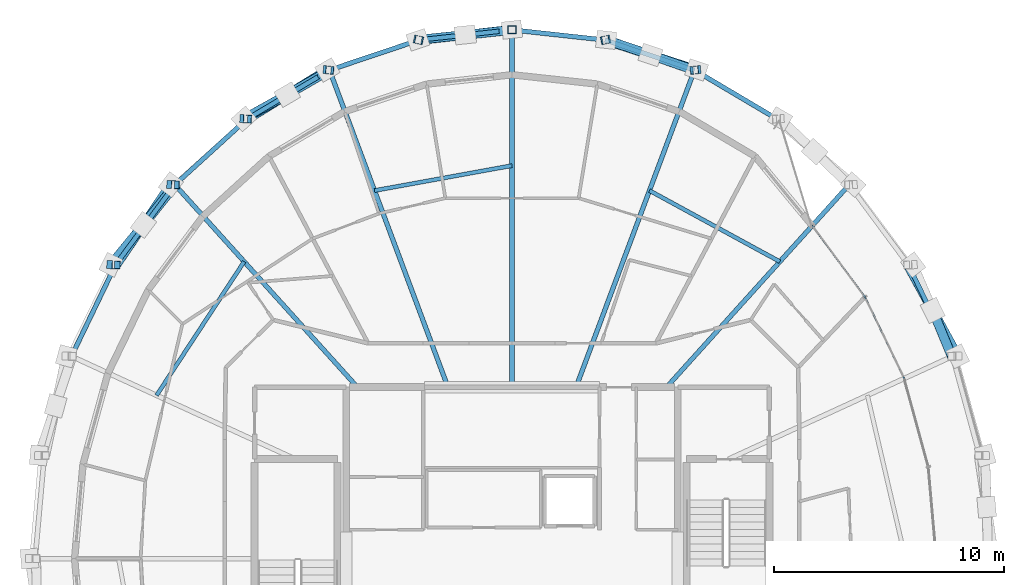
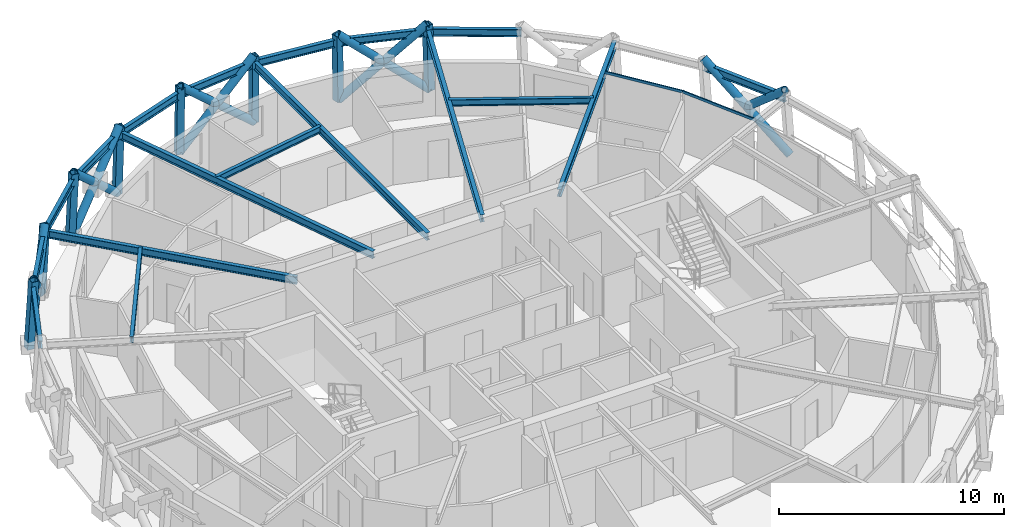
# One storey, part 7 of 15: 24 members, 18 beams, 1 element without a shape of its own.
"""IFC4 building model written with IfcOpenShell, lengths in metres."""

from ifc_helpers import new_model, si_unit, direction, frame, origin, origin_2d, place, context, subcontext, project, spatial, hollow_rectangle, hollow_circle, i_section, extrude, material, layer, layer_set, material_profile, profile_set, type_object, element, aggregate, save


model = new_model("IFC4")

# Units and contexts
model_context = context("Model", 3, precision=1e-05, world=origin(), true_north=direction((0.0, 1.0)))
body_context = subcontext(model_context, "Body", "Model", "MODEL_VIEW")
ifc_project = project(units=[si_unit("LENGTHUNIT", "METRE"), si_unit("AREAUNIT", "SQUARE_METRE"), si_unit("VOLUMEUNIT", "CUBIC_METRE"), si_unit("PLANEANGLEUNIT", "RADIAN"), si_unit("MASSUNIT", "GRAM", prefix="KILO")], contexts=[model_context])

# Site, building, storey
site_placement = place(None, origin())
site = spatial("IfcSite", under=ifc_project, at=site_placement, CompositionType="ELEMENT")
building_placement = place(site_placement, origin())
building = spatial("IfcBuilding", under=site, at=building_placement, Name="Veldorina Hangang Commons", CompositionType="ELEMENT")
storey_placement = place(building_placement, frame((0.0, 0.0, 276.0)))
storey = spatial("IfcBuildingStorey", under=building, at=storey_placement, Name="L72", CompositionType="ELEMENT", Elevation=276.0)

# Beams
ifc_material_1 = material(Name="Steel SM355-TMC", Category="steel")
ifc_material_profile_1 = material_profile(ifc_material_1, i_section(OverallWidth=0.199951171875, OverallDepth=0.39990234375, WebThickness=0.008056640625, FlangeThickness=0.012939453125, FilletRadius=0.012939453125, at=origin_2d()), Name="H-400x200x8x13")
ifc_profile_set_1 = profile_set([ifc_material_profile_1], Name="Steel SM355-TMC")
beam_type_1 = type_object("IfcBeamType", Name="BM-FG400", PredefinedType="BEAM", material=ifc_profile_set_1)
beam_1_placement = place(storey_placement, frame((38.718505859375, 31.449951171875, 3.159912109375), z_axis=(0.669683766182, 0.742646385107, 0.0), x_axis=(-0.742646385107, 0.669683766182, 0.0)))
element("IfcBeam", 1, at=beam_1_placement, inside=storey, type_object=beam_type_1, Name="L72 radial floor girder 03", PredefinedType="BEAM", context=body_context, shape_type="SweptSolid", body=[
    extrude(i_section(OverallWidth=0.199951171875, OverallDepth=0.39990234375, WebThickness=0.008056640625, FlangeThickness=0.012939453125, FilletRadius=0.012939453125, at=origin_2d()), origin(), (0.0, 0.0, 1.0), 11.831787109375),
])
beam_2_placement = place(storey_placement, frame((34.782958984375, 31.449951171875, 3.159912109375), z_axis=(0.349917689305, 0.936780449578, 0.0), x_axis=(-0.936780449578, 0.349917689305, 0.0)))
element("IfcBeam", 2, at=beam_2_placement, inside=storey, type_object=beam_type_1, Name="L72 radial floor girder 04", PredefinedType="BEAM", context=body_context, shape_type="SweptSolid", body=[
    extrude(i_section(OverallWidth=0.199951171875, OverallDepth=0.39990234375, WebThickness=0.008056640625, FlangeThickness=0.012939453125, FilletRadius=0.012939453125, at=origin_2d()), origin(), (0.0, 0.0, 1.0), 14.693115234375),
])
beam_3_placement = place(storey_placement, frame((32.0, 31.449951171875, 3.159912109375), z_axis=(0.0, 1.0, 0.0), x_axis=(-1.0, 0.0, 0.0)))
element("IfcBeam", 3, at=beam_3_placement, inside=storey, type_object=beam_type_1, Name="L72 radial floor girder 05", PredefinedType="BEAM", context=body_context, shape_type="SweptSolid", body=[
    extrude(i_section(OverallWidth=0.199951171875, OverallDepth=0.39990234375, WebThickness=0.008056640625, FlangeThickness=0.012939453125, FilletRadius=0.012939453125, at=origin_2d()), origin(), (0.0, 0.0, 1.0), 15.51220703125),
])
beam_4_placement = place(storey_placement, frame((29.217041015625, 31.449951171875, 3.159912109375), z_axis=(-0.349917689305, 0.936780449578, 0.0), x_axis=(-0.936780449578, -0.349917689305, 0.0)))
element("IfcBeam", 4, at=beam_4_placement, inside=storey, type_object=beam_type_1, Name="L72 radial floor girder 06", PredefinedType="BEAM", context=body_context, shape_type="SweptSolid", body=[
    extrude(i_section(OverallWidth=0.199951171875, OverallDepth=0.39990234375, WebThickness=0.008056640625, FlangeThickness=0.012939453125, FilletRadius=0.012939453125, at=origin_2d()), origin(), (0.0, 0.0, 1.0), 14.693115234375),
])
beam_5_placement = place(storey_placement, frame((25.281494140625, 31.449951171875, 3.159912109375), z_axis=(-0.669683766182, 0.742646385107, 0.0), x_axis=(-0.742646385107, -0.669683766182, 0.0)))
element("IfcBeam", 5, at=beam_5_placement, inside=storey, type_object=beam_type_1, Name="L72 radial floor girder 07", PredefinedType="BEAM", context=body_context, shape_type="SweptSolid", body=[
    extrude(i_section(OverallWidth=0.199951171875, OverallDepth=0.39990234375, WebThickness=0.008056640625, FlangeThickness=0.012939453125, FilletRadius=0.012939453125, at=origin_2d()), origin(), (0.0, 0.0, 1.0), 11.831787109375),
])
ifc_material_profile_2 = material_profile(ifc_material_1, i_section(OverallWidth=0.175048828125, OverallDepth=0.35009765625, WebThickness=0.007080078125, FlangeThickness=0.010986328125, FilletRadius=0.012939453125, at=origin_2d()), Name="H-350x175x7x11")
ifc_profile_set_2 = profile_set([ifc_material_profile_2], Name="Steel SM355-TMC")
beam_type_2 = type_object("IfcBeamType", Name="BM-JST350", PredefinedType="JOIST", material=ifc_profile_set_2)
beam_6_placement = place(storey_placement, frame((43.631103515625, 36.897705078125, 3.18505859375), z_axis=(-0.877980943961, 0.478695583895, 0.0), x_axis=(-0.478695583895, -0.877980943961, 0.0)))
element("IfcBeam", 6, at=beam_6_placement, inside=storey, type_object=beam_type_2, Name="L72 secondary floor joist 03", PredefinedType="JOIST", context=body_context, shape_type="SweptSolid", body=[
    extrude(i_section(OverallWidth=0.175048828125, OverallDepth=0.35009765625, WebThickness=0.007080078125, FlangeThickness=0.010986328125, FilletRadius=0.012939453125, at=origin_2d()), origin(), (0.0, 0.0, 1.0), 6.447021484375),
])
beam_7_placement = place(storey_placement, frame((32.0, 41.0673828125, 3.18505859375), z_axis=(-0.98393036376, -0.178552623257, 0.0), x_axis=(0.178552623257, -0.98393036376, 0.0)))
element("IfcBeam", 7, at=beam_7_placement, inside=storey, type_object=beam_type_2, Name="L72 secondary floor joist 05", PredefinedType="JOIST", context=body_context, shape_type="SweptSolid", body=[
    extrude(i_section(OverallWidth=0.175048828125, OverallDepth=0.35009765625, WebThickness=0.007080078125, FlangeThickness=0.010986328125, FilletRadius=0.012939453125, at=origin_2d()), origin(), (0.0, 0.0, 1.0), 6.068115234375),
])
beam_8_placement = place(storey_placement, frame((20.368896484375, 36.897705078125, 3.18505859375), z_axis=(-0.547914268169, -0.836534491062, 0.0), x_axis=(0.836534491062, -0.547914268169, 0.0)))
element("IfcBeam", 8, at=beam_8_placement, inside=storey, type_object=beam_type_2, Name="L72 secondary floor joist 07", PredefinedType="JOIST", context=body_context, shape_type="SweptSolid", body=[
    extrude(i_section(OverallWidth=0.175048828125, OverallDepth=0.35009765625, WebThickness=0.007080078125, FlangeThickness=0.010986328125, FilletRadius=0.012939453125, at=origin_2d()), origin(), (0.0, 0.0, 1.0), 6.943115234375),
])
ifc_material_profile_3 = material_profile(ifc_material_1, i_section(OverallWidth=0.199951171875, OverallDepth=0.39990234375, WebThickness=0.008056640625, FlangeThickness=0.012939453125, FilletRadius=0.012939453125, at=origin_2d()), Name="H-400x200x8x13")
ifc_profile_set_3 = profile_set([ifc_material_profile_3], Name="Steel SM355-TMC")
beam_type_3 = type_object("IfcBeamType", Name="BM-RB400", PredefinedType="BEAM", material=ifc_profile_set_3)
beam_9_placement = place(storey_placement, frame((51.131103515625, 32.787109375, 3.159912109375), z_axis=(-0.434248619178, 0.900793059888, 0.0), x_axis=(-0.900793059888, -0.434248619178, 0.0)))
element("IfcBeam", 9, at=beam_9_placement, inside=storey, type_object=beam_type_3, Name="L72 perimeter hoop ring beam 02", PredefinedType="BEAM", context=body_context, shape_type="SweptSolid", body=[
    extrude(i_section(OverallWidth=0.199951171875, OverallDepth=0.39990234375, WebThickness=0.008056640625, FlangeThickness=0.012939453125, FilletRadius=0.012939453125, at=origin_2d()), origin(), (0.0, 0.0, 1.0), 4.4072265625),
])
beam_10_placement = place(storey_placement, frame((43.50439453125, 43.09228515625, 3.159912109375), z_axis=(-0.860260085302, 0.50985545563, 0.0), x_axis=(-0.50985545563, -0.860260085302, 0.0)))
element("IfcBeam", 10, at=beam_10_placement, inside=storey, type_object=beam_type_3, Name="L72 perimeter hoop ring beam 05", PredefinedType="BEAM", context=body_context, shape_type="SweptSolid", body=[
    extrude(i_section(OverallWidth=0.199951171875, OverallDepth=0.39990234375, WebThickness=0.008056640625, FlangeThickness=0.012939453125, FilletRadius=0.012939453125, at=origin_2d()), origin(), (0.0, 0.0, 1.0), 4.16162109375),
])
beam_11_placement = place(storey_placement, frame((39.92431640625, 45.214111328125, 3.159912109375), z_axis=(-0.947797994089, 0.318871388496, 0.0), x_axis=(-0.318871388496, -0.947797994089, 0.0)))
element("IfcBeam", 11, at=beam_11_placement, inside=storey, type_object=beam_type_3, Name="L72 perimeter hoop ring beam 06", PredefinedType="BEAM", context=body_context, shape_type="SweptSolid", body=[
    extrude(i_section(OverallWidth=0.199951171875, OverallDepth=0.39990234375, WebThickness=0.008056640625, FlangeThickness=0.012939453125, FilletRadius=0.012939453125, at=origin_2d()), origin(), (0.0, 0.0, 1.0), 4.098388671875),
])
for number, where, z_axis, x_axis, name in (
    (12, (36.039794921875, 46.52099609375, 3.159912109375), (-0.994090041206, 0.108558693688, 0.0), (-0.108558693688, -0.994090041206, 0.0), "L72 perimeter hoop ring beam 07"),
    (13, (32.0, 46.962158203125, 3.159912109375), (-0.994090041206, -0.108558693688, 0.0), (0.108558693688, -0.994090041206, 0.0), "L72 perimeter hoop ring beam 08"),
):
    element("IfcBeam", number, at=place(storey_placement, frame(where, z_axis=z_axis, x_axis=x_axis)), inside=storey, type_object=beam_type_3, Name=name, PredefinedType="BEAM", context=body_context, shape_type="SweptSolid", body=[
        extrude(i_section(OverallWidth=0.199951171875, OverallDepth=0.39990234375, WebThickness=0.008056640625, FlangeThickness=0.012939453125, FilletRadius=0.012939453125, at=origin_2d()), origin(), (0.0, 0.0, 1.0), 4.063720703125),
    ])
beam_12_placement = place(storey_placement, frame((27.960205078125, 46.52099609375, 3.159912109375), z_axis=(-0.947797994089, -0.318871388496, 0.0), x_axis=(0.318871388496, -0.947797994089, 0.0)))
element("IfcBeam", 14, at=beam_12_placement, inside=storey, type_object=beam_type_3, Name="L72 perimeter hoop ring beam 09", PredefinedType="BEAM", context=body_context, shape_type="SweptSolid", body=[
    extrude(i_section(OverallWidth=0.199951171875, OverallDepth=0.39990234375, WebThickness=0.008056640625, FlangeThickness=0.012939453125, FilletRadius=0.012939453125, at=origin_2d()), origin(), (0.0, 0.0, 1.0), 4.098388671875),
])
beam_13_placement = place(storey_placement, frame((24.07568359375, 45.214111328125, 3.159912109375), z_axis=(-0.860260085302, -0.50985545563, 0.0), x_axis=(0.50985545563, -0.860260085302, 0.0)))
element("IfcBeam", 15, at=beam_13_placement, inside=storey, type_object=beam_type_3, Name="L72 perimeter hoop ring beam 10", PredefinedType="BEAM", context=body_context, shape_type="SweptSolid", body=[
    extrude(i_section(OverallWidth=0.199951171875, OverallDepth=0.39990234375, WebThickness=0.008056640625, FlangeThickness=0.012939453125, FilletRadius=0.012939453125, at=origin_2d()), origin(), (0.0, 0.0, 1.0), 4.16162109375),
])
beam_14_placement = place(storey_placement, frame((20.49560546875, 43.09228515625, 3.159912109375), z_axis=(-0.739585839401, -0.673062245381, 0.0), x_axis=(0.673062245381, -0.739585839401, 0.0)))
element("IfcBeam", 16, at=beam_14_placement, inside=storey, type_object=beam_type_3, Name="L72 perimeter hoop ring beam 11", PredefinedType="BEAM", context=body_context, shape_type="SweptSolid", body=[
    extrude(i_section(OverallWidth=0.199951171875, OverallDepth=0.39990234375, WebThickness=0.008056640625, FlangeThickness=0.012939453125, FilletRadius=0.012939453125, at=origin_2d()), origin(), (0.0, 0.0, 1.0), 4.242431640625),
])
beam_15_placement = place(storey_placement, frame((17.35791015625, 40.23681640625, 3.159912109375), z_axis=(-0.594871429279, -0.803820864762, 0.0), x_axis=(0.803820864762, -0.594871429279, 0.0)))
element("IfcBeam", 17, at=beam_15_placement, inside=storey, type_object=beam_type_3, Name="L72 perimeter hoop ring beam 12", PredefinedType="BEAM", context=body_context, shape_type="SweptSolid", body=[
    extrude(i_section(OverallWidth=0.199951171875, OverallDepth=0.39990234375, WebThickness=0.008056640625, FlangeThickness=0.012939453125, FilletRadius=0.012939453125, at=origin_2d()), origin(), (0.0, 0.0, 1.0), 4.3291015625),
])
beam_16_placement = place(storey_placement, frame((14.78271484375, 36.757080078125, 3.159912109375), z_axis=(-0.434248619178, -0.900793059888, 0.0), x_axis=(0.900793059888, -0.434248619178, 0.0)))
element("IfcBeam", 18, at=beam_16_placement, inside=storey, type_object=beam_type_3, Name="L72 perimeter hoop ring beam 13", PredefinedType="BEAM", context=body_context, shape_type="SweptSolid", body=[
    extrude(i_section(OverallWidth=0.199951171875, OverallDepth=0.39990234375, WebThickness=0.008056640625, FlangeThickness=0.012939453125, FilletRadius=0.012939453125, at=origin_2d()), origin(), (0.0, 0.0, 1.0), 4.4072265625),
])

# Curtain wall, members
ifc_material_2 = material(Name="Glass Low-E Selective", Category="glass")
ifc_layer = layer(ifc_material_2, 0.179931640625)
ifc_layer_set = layer_set([ifc_layer], Name="Glass Low-E Selective")
curtain_wall_type = type_object("IfcCurtainWallType", Name="CW-SYS-Z3", PredefinedType="NOTDEFINED", material=ifc_layer_set)
curtain_wall_placement = place(storey_placement, origin())
curtain_wall = element("IfcCurtainWall", 19, at=curtain_wall_placement, inside=storey, type_object=curtain_wall_type, Name="L72 unitised curtain wall CW-L72-R2", PredefinedType="NOTDEFINED")
ifc_material_3 = material(Name="Aluminium Anodized AA6063-T6", Category="aluminium")
ifc_material_profile_4 = material_profile(ifc_material_3, hollow_rectangle(XDim=0.06005859375, YDim=0.139892578125, WallThickness=0.00341796875, at=origin_2d()), Name="ALU-RHS-140x60x3.5")
ifc_profile_set_4 = profile_set([ifc_material_profile_4], Name="Aluminium Anodized AA6063-T6")
member_type_1 = type_object("IfcMemberType", Name="CW-TRN-140", PredefinedType="USERDEFINED", material=ifc_profile_set_4)
member_1_placement = place(storey_placement, frame((49.031494140625, 31.826904296875, 3.280029296875), z_axis=(-0.434002639341, 0.900911598907, 0.0), x_axis=(-0.900911598907, -0.434002639341, 0.0)))
member_1 = element("IfcMember", 20, at=member_1_placement, type_object=member_type_1, Name="CW-L72-R2 facet 4 transom 1", ObjectType="TRANSOM", PredefinedType="USERDEFINED", context=body_context, shape_type="SweptSolid", body=[
    extrude(hollow_rectangle(XDim=0.06005859375, YDim=0.139892578125, WallThickness=0.00341796875, at=origin_2d()), origin(), (0.0, 0.0, 1.0), 3.9248046875),
])
member_2_placement = place(storey_placement, frame((47.328125, 35.36279296875, 3.280029296875), z_axis=(-0.594707961774, 0.803941813941, 0.0), x_axis=(-0.803941813941, -0.594707961774, 0.0)))
member_2 = element("IfcMember", 21, at=member_2_placement, type_object=member_type_1, Name="CW-L72-R2 facet 5 transom 1", ObjectType="TRANSOM", PredefinedType="USERDEFINED", context=body_context, shape_type="SweptSolid", body=[
    extrude(hollow_rectangle(XDim=0.06005859375, YDim=0.139892578125, WallThickness=0.00341796875, at=origin_2d()), origin(), (0.0, 0.0, 1.0), 3.855224609375),
])
aggregate(curtain_wall, [member_1, member_2])

# Members
ifc_material_profile_5 = material_profile(ifc_material_1, hollow_circle(Radius=0.199951171875, WallThickness=0.02001953125, at=origin_2d()), Name="CHS-400x20")
ifc_profile_set_5 = profile_set([ifc_material_profile_5], Name="Steel SM355-TMC")
member_type_2 = type_object("IfcMemberType", Name="DG-CHS400", PredefinedType="BRACE", material=ifc_profile_set_5)
member_3_placement = place(storey_placement, frame((51.35986328125, 32.791259765625, 0.0), z_axis=(-0.375708094426, 0.686101366635, 0.622983420714), x_axis=(-0.877103852055, -0.480300773173, 0.0)))
element("IfcMember", 22, at=member_3_placement, inside=storey, type_object=member_type_2, Name="L72 continuous perimeter diagrid brace 02", PredefinedType="BRACE", context=body_context, shape_type="SweptSolid", body=[
    extrude(hollow_circle(Radius=0.199951171875, WallThickness=0.02001953125, at=origin_2d()), origin(), (0.0, 0.0, 1.0), 5.77880859375),
])
member_4_placement = place(storey_placement, frame((50.272705078125, 34.776611328125, 1.802734375), z_axis=(0.294519276188, -0.709195456487, 0.640546798019), x_axis=(0.923528823768, 0.383529023243, 0.0)))
element("IfcMember", 23, at=member_4_placement, inside=storey, type_object=member_type_2, Name="L72 split perimeter diagrid upper brace 03", PredefinedType="BRACE", context=body_context, shape_type="SweptSolid", body=[
    extrude(hollow_circle(Radius=0.199951171875, WallThickness=0.02001953125, at=origin_2d()), origin(), (0.0, 0.0, 1.0), 2.805908203125),
])
member_5_placement = place(storey_placement, frame((40.01904296875, 45.22412109375, 0.0), z_axis=(-0.721446636571, 0.234413818032, 0.65158645819), x_axis=(-0.309018897447, -0.951055897948, 0.0)))
element("IfcMember", 24, at=member_5_placement, inside=storey, type_object=member_type_2, Name="L72 continuous perimeter diagrid brace 06", PredefinedType="BRACE", context=body_context, shape_type="SweptSolid", body=[
    extrude(hollow_circle(Radius=0.199951171875, WallThickness=0.02001953125, at=origin_2d()), origin(), (0.0, 0.0, 1.0), 5.525146484375),
])
member_6_placement = place(storey_placement, frame((36.088134765625, 46.53125, 0.0), z_axis=(0.707063017632, -0.240677510439, 0.664933248579), x_axis=(0.32223405008, 0.946660032413, 0.0)))
element("IfcMember", 25, at=member_6_placement, inside=storey, type_object=member_type_2, Name="L72 split perimeter diagrid lower brace 07", PredefinedType="BRACE", context=body_context, shape_type="SweptSolid", body=[
    extrude(hollow_circle(Radius=0.199951171875, WallThickness=0.02001953125, at=origin_2d()), origin(), (0.0, 0.0, 1.0), 2.7236328125),
])
member_7_placement = place(storey_placement, frame((38.013916015625, 45.875732421875, 1.81103515625), z_axis=(0.705117691671, -0.246351117345, 0.664921174182), x_axis=(0.329825481879, 0.944041922535, 0.0)))
element("IfcMember", 26, at=member_7_placement, inside=storey, type_object=member_type_2, Name="L72 split perimeter diagrid upper brace 07", PredefinedType="BRACE", context=body_context, shape_type="SweptSolid", body=[
    extrude(hollow_circle(Radius=0.199951171875, WallThickness=0.02001953125, at=origin_2d()), origin(), (0.0, 0.0, 1.0), 2.690673828125),
])
member_8_placement = place(storey_placement, frame((32.0, 46.97265625, 0.0), z_axis=(-0.74339778, -0.083569809157, 0.663608188382), x_axis=(0.111712347444, -0.99374058558, 0.0)))
element("IfcMember", 27, at=member_8_placement, inside=storey, type_object=member_type_2, Name="L72 continuous perimeter diagrid brace 08", PredefinedType="BRACE", context=body_context, shape_type="SweptSolid", body=[
    extrude(hollow_circle(Radius=0.199951171875, WallThickness=0.02001953125, at=origin_2d()), origin(), (0.0, 0.0, 1.0), 5.425048828125),
])
member_9_placement = place(storey_placement, frame((27.911865234375, 46.53125, 0.0), z_axis=(0.748297554973, 0.07749273612, 0.658821406051), x_axis=(-0.103007842798, 0.994680543854, 0.0)))
element("IfcMember", 28, at=member_9_placement, inside=storey, type_object=member_type_2, Name="L72 split perimeter diagrid lower brace 09", PredefinedType="BRACE", context=body_context, shape_type="SweptSolid", body=[
    extrude(hollow_circle(Radius=0.199951171875, WallThickness=0.02001953125, at=origin_2d()), origin(), (0.0, 0.0, 1.0), 2.75048828125),
])
member_10_placement = place(storey_placement, frame((29.969970703125, 46.744384765625, 1.81201171875), z_axis=(0.748021654765, 0.079705013364, 0.658870787672), x_axis=(-0.105954621283, 0.994370966103, 0.0)))
element("IfcMember", 29, at=member_10_placement, inside=storey, type_object=member_type_2, Name="L72 split perimeter diagrid upper brace 09", PredefinedType="BRACE", context=body_context, shape_type="SweptSolid", body=[
    extrude(hollow_circle(Radius=0.199951171875, WallThickness=0.02001953125, at=origin_2d()), origin(), (0.0, 0.0, 1.0), 2.7138671875),
])
member_11_placement = place(storey_placement, frame((23.98095703125, 45.22412109375, 0.0), z_axis=(-0.637892206511, -0.392566331499, 0.662559588449), x_axis=(0.524114160381, -0.851648018191, 0.0)))
element("IfcMember", 30, at=member_11_placement, inside=storey, type_object=member_type_2, Name="L72 continuous perimeter diagrid brace 10", PredefinedType="BRACE", context=body_context, shape_type="SweptSolid", body=[
    extrude(hollow_circle(Radius=0.199951171875, WallThickness=0.02001953125, at=origin_2d()), origin(), (0.0, 0.0, 1.0), 5.43359375),
])
member_12_placement = place(storey_placement, frame((20.358154296875, 43.10107421875, 0.0), z_axis=(0.668542631427, 0.373582038979, 0.643029711691), x_axis=(-0.487806119917, 0.872951997175, 0.0)))
element("IfcMember", 31, at=member_12_placement, inside=storey, type_object=member_type_2, Name="L72 split perimeter diagrid lower brace 11", PredefinedType="BRACE", context=body_context, shape_type="SweptSolid", body=[
    extrude(hollow_circle(Radius=0.199951171875, WallThickness=0.02001953125, at=origin_2d()), origin(), (0.0, 0.0, 1.0), 2.8134765625),
])
member_13_placement = place(storey_placement, frame((22.239013671875, 44.152099609375, 1.80908203125), z_axis=(0.664273926266, 0.380925195938, 0.643145509184), x_axis=(-0.497457638948, 0.867488269346, 0.0)))
element("IfcMember", 32, at=member_13_placement, inside=storey, type_object=member_type_2, Name="L72 split perimeter diagrid upper brace 11", PredefinedType="BRACE", context=body_context, shape_type="SweptSolid", body=[
    extrude(hollow_circle(Radius=0.199951171875, WallThickness=0.02001953125, at=origin_2d()), origin(), (0.0, 0.0, 1.0), 2.78466796875),
])
member_14_placement = place(storey_placement, frame((17.1826171875, 40.244140625, 0.0), z_axis=(-0.427630244397, -0.629007855626, 0.649216059289), x_axis=(0.826984634685, -0.562224522762, 0.0)))
element("IfcMember", 33, at=member_14_placement, inside=storey, type_object=member_type_2, Name="L72 continuous perimeter diagrid brace 12", PredefinedType="BRACE", context=body_context, shape_type="SweptSolid", body=[
    extrude(hollow_circle(Radius=0.199951171875, WallThickness=0.02001953125, at=origin_2d()), origin(), (0.0, 0.0, 1.0), 5.54541015625),
])
member_15_placement = place(storey_placement, frame((14.57666015625, 36.762939453125, 0.0), z_axis=(0.492893262012, 0.602594914815, 0.627642892816), x_axis=(-0.774044760972, 0.633130877475, 0.0)))
element("IfcMember", 34, at=member_15_placement, inside=storey, type_object=member_type_2, Name="L72 split perimeter diagrid lower brace 13", PredefinedType="BRACE", context=body_context, shape_type="SweptSolid", body=[
    extrude(hollow_circle(Radius=0.199951171875, WallThickness=0.02001953125, at=origin_2d()), origin(), (0.0, 0.0, 1.0), 2.875244140625),
])
member_16_placement = place(storey_placement, frame((15.993896484375, 38.49560546875, 1.8046875), z_axis=(0.485422875718, 0.608443340704, 0.627822692232), x_axis=(-0.78170276482, 0.623651174514, 0.0)))
element("IfcMember", 35, at=member_16_placement, inside=storey, type_object=member_type_2, Name="L72 split perimeter diagrid upper brace 13", PredefinedType="BRACE", context=body_context, shape_type="SweptSolid", body=[
    extrude(hollow_circle(Radius=0.199951171875, WallThickness=0.02001953125, at=origin_2d()), origin(), (0.0, 0.0, 1.0), 2.859619140625),
])
ifc_material_profile_6 = material_profile(ifc_material_1, hollow_rectangle(XDim=0.35009765625, YDim=0.35009765625, WallThickness=0.01611328125, at=origin_2d()), Name="SHS-350x350x16")
ifc_profile_set_6 = profile_set([ifc_material_profile_6], Name="Steel SM355-TMC")
member_type_3 = type_object("IfcMemberType", Name="STR-SHS350", PredefinedType="STRUT", material=ifc_profile_set_6)
member_17_placement = place(storey_placement, frame((40.01904296875, 45.22412109375, 0.0), z_axis=(-0.02996062848, -0.003118074457, 0.999546216217), x_axis=(0.103513328199, -0.994628066608, 0.0)))
element("IfcMember", 36, at=member_17_placement, inside=storey, type_object=member_type_3, Name="L72 perimeter ring node post 06", PredefinedType="STRUT", context=body_context, shape_type="SweptSolid", body=[
    extrude(hollow_rectangle(XDim=0.35009765625, YDim=0.35009765625, WallThickness=0.01611328125, at=origin_2d()), origin(), (0.0, 0.0, 1.0), 3.601806640625),
])
member_18_placement = place(storey_placement, frame((36.088134765625, 46.53125, 0.0), z_axis=(-0.015324305885, -0.003322526497, 0.999877055676), x_axis=(0.211891025137, -0.977293299612, 0.0)))
element("IfcMember", 37, at=member_18_placement, inside=storey, type_object=member_type_3, Name="L72 perimeter ring node post 07", PredefinedType="STRUT", context=body_context, shape_type="SweptSolid", body=[
    extrude(hollow_rectangle(XDim=0.35009765625, YDim=0.35009765625, WallThickness=0.01611328125, at=origin_2d()), origin(), (0.0, 0.0, 1.0), 3.6005859375),
])
member_19_placement = place(storey_placement, frame((32.0, 46.97265625, 0.0), z_axis=(0.0, -0.003322916688, 0.999994479097), x_axis=(1.0, 0.0, 0.0)))
element("IfcMember", 38, at=member_19_placement, inside=storey, type_object=member_type_3, Name="L72 perimeter ring node post 08", PredefinedType="STRUT", context=body_context, shape_type="SweptSolid", body=[
    extrude(hollow_rectangle(XDim=0.35009765625, YDim=0.35009765625, WallThickness=0.01611328125, at=origin_2d()), origin(), (0.0, 0.0, 1.0), 3.60009765625),
])
member_20_placement = place(storey_placement, frame((27.911865234375, 46.53125, 0.0), z_axis=(0.015324305885, -0.003322526497, 0.999877055676), x_axis=(0.211891025137, 0.977293299612, 0.0)))
element("IfcMember", 39, at=member_20_placement, inside=storey, type_object=member_type_3, Name="L72 perimeter ring node post 09", PredefinedType="STRUT", context=body_context, shape_type="SweptSolid", body=[
    extrude(hollow_rectangle(XDim=0.35009765625, YDim=0.35009765625, WallThickness=0.01611328125, at=origin_2d()), origin(), (0.0, 0.0, 1.0), 3.6005859375),
])
member_21_placement = place(storey_placement, frame((23.98095703125, 45.22412109375, 0.0), z_axis=(0.02996062848, -0.003118074457, 0.999546216217), x_axis=(0.103513328199, 0.994628066608, 0.0)))
element("IfcMember", 40, at=member_21_placement, inside=storey, type_object=member_type_3, Name="L72 perimeter ring node post 10", PredefinedType="STRUT", context=body_context, shape_type="SweptSolid", body=[
    extrude(hollow_rectangle(XDim=0.35009765625, YDim=0.35009765625, WallThickness=0.01611328125, at=origin_2d()), origin(), (0.0, 0.0, 1.0), 3.601806640625),
])
member_22_placement = place(storey_placement, frame((20.358154296875, 43.10107421875, 0.0), z_axis=(0.043495858992, -0.002777772926, 0.999049745622), x_axis=(0.063733093725, 0.997966979797, 0.0)))
element("IfcMember", 41, at=member_22_placement, inside=storey, type_object=member_type_3, Name="L72 perimeter ring node post 11", PredefinedType="STRUT", context=body_context, shape_type="SweptSolid", body=[
    extrude(hollow_rectangle(XDim=0.35009765625, YDim=0.35009765625, WallThickness=0.01611328125, at=origin_2d()), origin(), (0.0, 0.0, 1.0), 3.603515625),
])
member_23_placement = place(storey_placement, frame((17.1826171875, 40.244140625, 0.0), z_axis=(0.055319857399, -0.002369883732, 0.998465871739), x_axis=(0.042800400862, 0.999083642988, 0.0)))
element("IfcMember", 42, at=member_23_placement, inside=storey, type_object=member_type_3, Name="L72 perimeter ring node post 12", PredefinedType="STRUT", context=body_context, shape_type="SweptSolid", body=[
    extrude(hollow_rectangle(XDim=0.35009765625, YDim=0.35009765625, WallThickness=0.01611328125, at=origin_2d()), origin(), (0.0, 0.0, 1.0), 3.605712890625),
])
member_24_placement = place(storey_placement, frame((14.57666015625, 36.762939453125, 0.0), z_axis=(0.065032144123, -0.001894797123, 0.997881370692), x_axis=(0.029123956933, 0.999575807597, 0.0)))
element("IfcMember", 43, at=member_24_placement, inside=storey, type_object=member_type_3, Name="L72 perimeter ring node post 13", PredefinedType="STRUT", context=body_context, shape_type="SweptSolid", body=[
    extrude(hollow_rectangle(XDim=0.35009765625, YDim=0.35009765625, WallThickness=0.01611328125, at=origin_2d()), origin(), (0.0, 0.0, 1.0), 3.607666015625),
])

save(model, "model.ifc")
